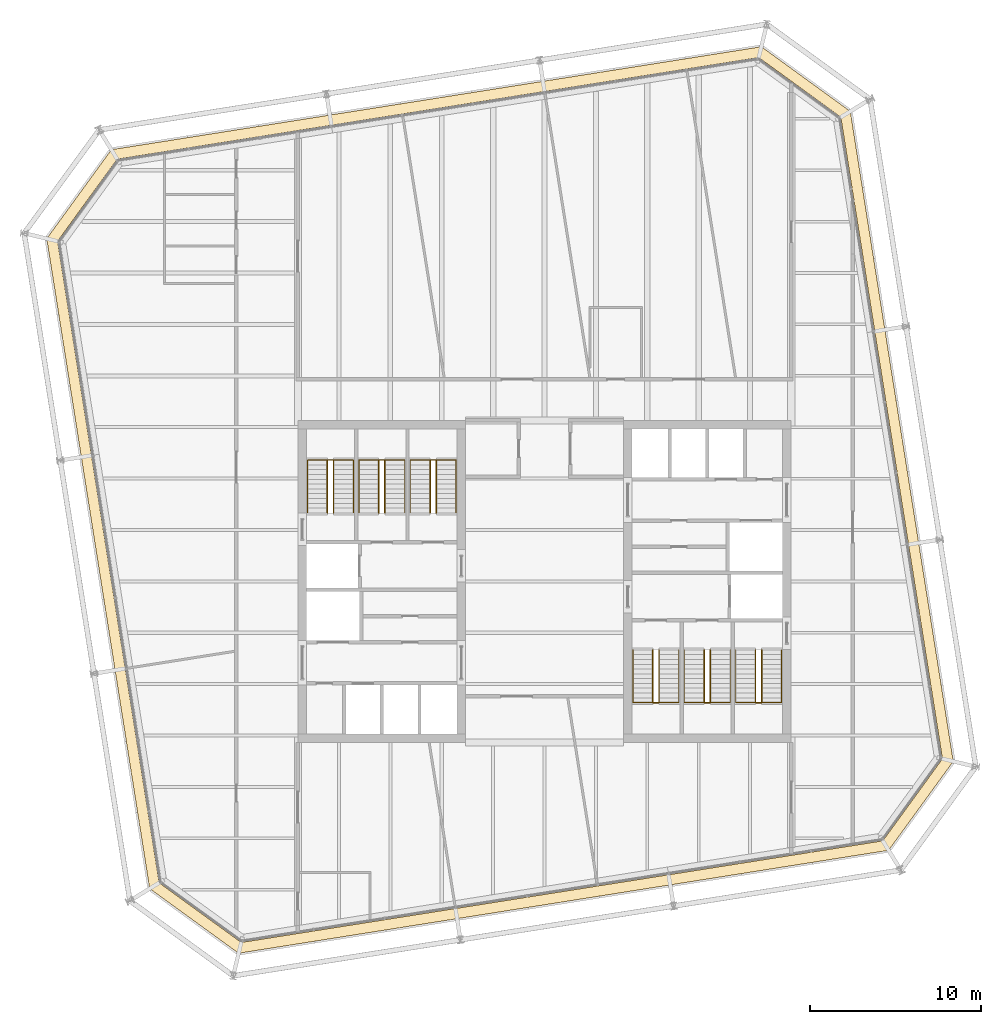
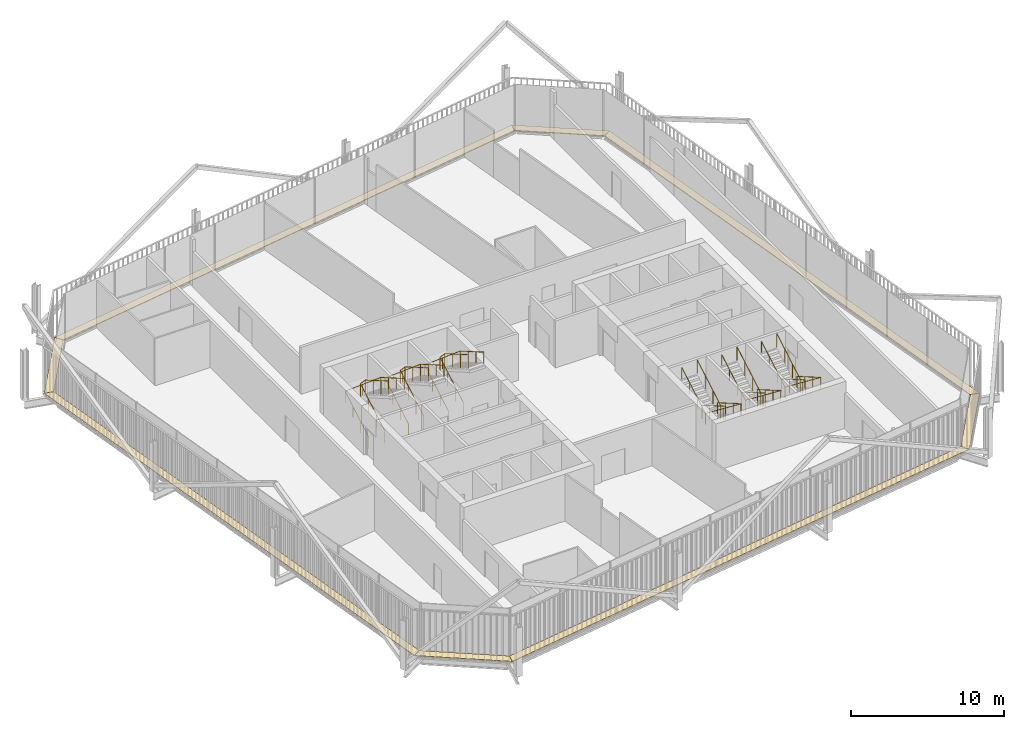
# One storey, part 21 of 21: 12 railings, 8 coverings.
"""IFC4 building model written with IfcOpenShell, lengths in metres."""

import ifcopenshell
import ifcopenshell.guid

model = None  # the IFC model being written
_history = None  # IfcOwnerHistory: only IFC2X3 demands one
_inside = {}  # id of a spatial element -> (the spatial element, [elements in it])
_under = {}  # id of a project, library or spatial element -> (it, [spatial elements below it])
_declared = {}  # id of a project -> (the project, [libraries it declares])
_typed = {}  # id of a type object -> (the type object, [elements of that type])
_made_of = {}  # id of a material, layer set ... -> (it, [elements and type objects made of it])


def new_model(schema):
    """Start an empty IFC model of exactly this schema.

    Asked for "IFC4X3", IfcOpenShell would pick the latest addendum, in which some entities
    have other attributes; the version numbers below select the first issue.
    IFC2X3 requires an IfcOwnerHistory on every rooted entity: one is made here for all.
    """
    global model, _history
    if schema == "IFC4X3":
        model = ifcopenshell.file(schema_version=(4, 3, 0, 0))
    else:
        model = ifcopenshell.file(schema=schema)
    _inside.clear()
    _under.clear()
    _declared.clear()
    _typed.clear()
    _made_of.clear()
    _history = None
    if model.schema == "IFC2X3":
        org = make("IfcOrganization", Name="unknown")
        user = make(
            "IfcPersonAndOrganization",
            ThePerson=make("IfcPerson", FamilyName="unknown"),
            TheOrganization=org,
        )
        app = make(
            "IfcApplication",
            ApplicationDeveloper=org,
            Version="unknown",
            ApplicationFullName="unknown",
            ApplicationIdentifier="unknown",
        )
        _history = make(
            "IfcOwnerHistory",
            OwningUser=user,
            OwningApplication=app,
            ChangeAction="ADDED",
            CreationDate=0,
        )
    return model


def make(cls, **values):
    """One entity of the class cls with the attributes given. An attribute that is None is left unset."""
    return model.create_entity(
        cls, **{name: value for name, value in values.items() if value is not None}
    )


def rooted(cls, **values):
    """An entity with a GlobalId (a new one), such as an element, a storey or a relation."""
    return make(cls, GlobalId=ifcopenshell.guid.new(), OwnerHistory=_history, **values)


def si_unit(unit_type, name, prefix=None):
    """IfcSIUnit, for example si_unit("LENGTHUNIT", "METRE", prefix="MILLI")."""
    return make("IfcSIUnit", UnitType=unit_type, Prefix=prefix, Name=name)


def assignment(units):
    """IfcUnitAssignment: the units of a project."""
    return None if units is None else make("IfcUnitAssignment", Units=units)


def point(xyz):
    """IfcCartesianPoint."""
    return None if xyz is None else make("IfcCartesianPoint", Coordinates=xyz)


def direction(xyz):
    """IfcDirection."""
    return None if xyz is None else make("IfcDirection", DirectionRatios=xyz)


def frame(location, z_axis=None, x_axis=None):
    """IfcAxis2Placement3D, a coordinate frame: its origin and axes. An axis left out is left unset."""
    return make(
        "IfcAxis2Placement3D",
        Location=point(location),
        Axis=direction(z_axis),
        RefDirection=direction(x_axis),
    )


def frame_2d(location, x_axis=None):
    """IfcAxis2Placement2D, a coordinate frame in the plane: its origin and x axis."""
    return make(
        "IfcAxis2Placement2D", Location=point(location), RefDirection=direction(x_axis)
    )


def origin():
    """The frame at (0, 0, 0) with its axes left unset."""
    return frame((0.0, 0.0, 0.0))


def origin_2d():
    """The frame at (0, 0) in the plane with its x axis left unset."""
    return frame_2d((0.0, 0.0))


def place(relative_to, where):
    """IfcLocalPlacement: puts the frame where relative to a parent placement (None: the world)."""
    return make(
        "IfcLocalPlacement", PlacementRelTo=relative_to, RelativePlacement=where
    )


def context(
    kind, dimensions, precision=None, world=None, true_north=None, identifier=None
):
    """IfcGeometricRepresentationContext, for example the 3D "Model" context."""
    return make(
        "IfcGeometricRepresentationContext",
        ContextIdentifier=identifier,
        ContextType=kind,
        CoordinateSpaceDimension=dimensions,
        Precision=precision,
        WorldCoordinateSystem=world,
        TrueNorth=true_north,
    )


def subcontext(parent, identifier, kind, view, scale=None):
    """IfcGeometricRepresentationSubContext, for example "Body" below "Model"."""
    return make(
        "IfcGeometricRepresentationSubContext",
        ContextIdentifier=identifier,
        ContextType=kind,
        ParentContext=parent,
        TargetScale=scale,
        TargetView=view,
    )


def project(units=None, contexts=None):
    """IfcProject with its units and contexts."""
    return rooted(
        "IfcProject",
        Name="project",
        RepresentationContexts=contexts,
        UnitsInContext=assignment(units),
    )


def spatial(cls, under=None, at=None, **own):
    """A site, building, storey or space (cls), placed at a placement, below another one or the project."""
    s = rooted(cls, ObjectPlacement=at, **own)
    if under is not None:
        _under.setdefault(under.id(), (under, []))[1].append(s)
    return s


def polyline(points):
    """IfcPolyline through the points."""
    return make("IfcPolyline", Points=[point(p) for p in points])


def profile(cls, at=None, kind="AREA", **sizes):
    """A parametric profile (cls). Its sizes go by their IFC names, for example OverallWidth=200.0."""
    return make(cls, ProfileType=kind, Position=at, **sizes)


def circle(**sizes):
    """IfcCircleProfileDef."""
    return profile("IfcCircleProfileDef", **sizes)


def outline(outer, holes=None, kind="AREA"):
    """IfcArbitraryClosedProfileDef: a profile drawn as a closed curve; with holes, ...WithVoids."""
    if holes is None:
        return make("IfcArbitraryClosedProfileDef", ProfileType=kind, OuterCurve=outer)
    return make(
        "IfcArbitraryProfileDefWithVoids",
        ProfileType=kind,
        OuterCurve=outer,
        InnerCurves=holes,
    )


def extrude(swept, where, along, depth):
    """IfcExtrudedAreaSolid: the profile swept, set in the frame where, extruded along a direction by depth."""
    return make(
        "IfcExtrudedAreaSolid",
        SweptArea=swept,
        Position=where,
        ExtrudedDirection=direction(along),
        Depth=depth,
    )


def shape(context_of_items, identifier, shape_type, items):
    """IfcShapeRepresentation: the items that make up one representation, for example the "Body"."""
    return make(
        "IfcShapeRepresentation",
        ContextOfItems=context_of_items,
        RepresentationIdentifier=identifier,
        RepresentationType=shape_type,
        Items=items,
    )


def material(Name=None, Category=None):
    """IfcMaterial."""
    return make("IfcMaterial", Name=Name, Category=Category)


def layer(
    of_material, thickness, ventilated=None, Name=None, Category=None, Priority=None
):
    """IfcMaterialLayer: one layer of a wall or slab, of a material (None: an air gap)."""
    return make(
        "IfcMaterialLayer",
        Material=of_material,
        LayerThickness=thickness,
        IsVentilated=ventilated,
        Name=Name,
        Category=Category,
        Priority=Priority,
    )


def layer_set(layers, Name=None):
    """IfcMaterialLayerSet."""
    return make("IfcMaterialLayerSet", MaterialLayers=layers, LayerSetName=Name)


def made_of(thing, what):
    """Note that an element or type object is made of a material, layer set ...; save() writes the relation."""
    if what is not None:
        _made_of.setdefault(what.id(), (what, []))[1].append(thing)
    return thing


def type_object(cls, material=None, **own):
    """A type object (cls), such as IfcWallType, which elements share."""
    return made_of(rooted(cls, **own), material)


def element(
    cls,
    number,
    at=None,
    inside=None,
    cuts=None,
    type_object=None,
    material=None,
    context=None,
    identifier="Body",
    shape_type=None,
    held_by="IfcProductDefinitionShape",
    body=None,
    shapes=None,
    **own,
):
    """One element of the class cls, such as IfcWall. Its Tag is "e" and its number.

    at: its placement. inside: the storey or other place that contains it. cuts: it is an
    opening in that element (IfcRelVoidsElement). A single representation is given by context,
    identifier, shape_type and body (its items); several are given by shapes. held_by: the class
    of the entity that holds the representations. save() writes the other relations.
    """
    e = rooted(cls, Tag="e%d" % number, ObjectPlacement=at, **own)
    if body is not None:
        shapes = [shape(context, identifier, shape_type, body)]
    if shapes is not None:
        e.Representation = make(held_by, Representations=shapes)
    if inside is not None:
        _inside.setdefault(inside.id(), (inside, []))[1].append(e)
    if cuts is not None:
        rooted(
            "IfcRelVoidsElement", RelatingBuildingElement=cuts, RelatedOpeningElement=e
        )
    if type_object is not None:
        _typed.setdefault(type_object.id(), (type_object, []))[1].append(e)
    return made_of(e, material)


def aggregate(whole, parts):
    """IfcRelAggregates: a whole, such as a stair, and the parts it consists of."""
    return rooted("IfcRelAggregates", RelatingObject=whole, RelatedObjects=parts)


def save(model, path):
    """Write the relations noted so far, then the file.

    IfcRelAggregates (storeys below a building ...), IfcRelContainedInSpatialStructure (elements
    in a storey), IfcRelDefinesByType, IfcRelAssociatesMaterial and IfcRelDeclares: one each for
    every whole, place, type object, material and project.
    """
    for whole, parts in _under.values():
        aggregate(whole, parts)
    for where, things in _inside.values():
        rooted(
            "IfcRelContainedInSpatialStructure",
            RelatedElements=things,
            RelatingStructure=where,
        )
    for kind, things in _typed.values():
        rooted("IfcRelDefinesByType", RelatedObjects=things, RelatingType=kind)
    for what, things in _made_of.values():
        rooted("IfcRelAssociatesMaterial", RelatedObjects=things, RelatingMaterial=what)
    for by, libraries in _declared.values():
        rooted("IfcRelDeclares", RelatingContext=by, RelatedDefinitions=libraries)
    model.write(path)


model = new_model("IFC4")

# Units and contexts
model_context = context("Model", 3, precision=1e-05, world=origin(), true_north=direction((0.0, 1.0)))
body_context = subcontext(model_context, "Body", "Model", "MODEL_VIEW")
ifc_project = project(units=[si_unit("LENGTHUNIT", "METRE"), si_unit("AREAUNIT", "SQUARE_METRE"), si_unit("VOLUMEUNIT", "CUBIC_METRE"), si_unit("PLANEANGLEUNIT", "RADIAN"), si_unit("MASSUNIT", "GRAM", prefix="KILO")], contexts=[model_context])

# Site, building, storey
site_placement = place(None, origin())
site = spatial("IfcSite", under=ifc_project, at=site_placement, CompositionType="ELEMENT")
building_placement = place(site_placement, origin())
building = spatial("IfcBuilding", under=site, at=building_placement, Name="Millrace Tower", CompositionType="ELEMENT")
storey_placement = place(building_placement, frame((0.0, 0.0, 255.199951171875)))
storey = spatial("IfcBuildingStorey", under=building, at=storey_placement, Name="L58", CompositionType="ELEMENT", Elevation=255.199951171875)

# Coverings
ifc_material_1 = material(Name="Steel ASTM A36", Category="steel")
ifc_layer = layer(ifc_material_1, 0.050048828125)
ifc_layer_set = layer_set([ifc_layer], Name="Steel ASTM A36")
covering_type = type_object("IfcCoveringType", Name="CAVITY CATWALK steel grating", PredefinedType="FLOORING", material=ifc_layer_set)
placement = place(storey_placement, frame((0.0, 0.0, 0.10009765625)))
element("IfcCovering", 1, at=placement, inside=storey, type_object=covering_type, Name="Cavity catwalk grating D-F01 L58 1", PredefinedType="FLOORING", context=body_context, shape_type="SweptSolid", body=[
    extrude(outline(polyline([(-23.052490234375, -17.939453125), (-17.85888671875, -21.712890625), (-17.707275390625, -21.081298828125), (-22.49853515625, -17.60009765625), (-23.052490234375, -17.939453125)])), origin(), (0.0, 0.0, 1.0), 0.050048828125),
])
element("IfcCovering", 2, at=placement, inside=storey, type_object=covering_type, Name="Cavity catwalk grating D-F02 L58 1", PredefinedType="FLOORING", context=body_context, shape_type="SweptSolid", body=[
    extrude(outline(polyline([(-17.85888671875, -21.712890625), (20.08935546875, -15.702392578125), (19.750244140625, -15.148681640625), (-17.707275390625, -21.081298828125), (-17.85888671875, -21.712890625)])), origin(), (0.0, 0.0, 1.0), 0.050048828125),
])
element("IfcCovering", 3, at=placement, inside=storey, type_object=covering_type, Name="Cavity catwalk grating D-F03 L58 1", PredefinedType="FLOORING", context=body_context, shape_type="SweptSolid", body=[
    extrude(outline(polyline([(20.08935546875, -15.702392578125), (23.86279296875, -10.5087890625), (23.231201171875, -10.357177734375), (19.750244140625, -15.148681640625), (20.08935546875, -15.702392578125)])), origin(), (0.0, 0.0, 1.0), 0.050048828125),
])
element("IfcCovering", 4, at=placement, inside=storey, type_object=covering_type, Name="Cavity catwalk grating D-F04 L58 1", PredefinedType="FLOORING", context=body_context, shape_type="SweptSolid", body=[
    extrude(outline(polyline([(23.86279296875, -10.5087890625), (17.852294921875, 27.439453125), (17.298583984375, 27.10009765625), (23.231201171875, -10.357177734375), (23.86279296875, -10.5087890625)])), origin(), (0.0, 0.0, 1.0), 0.050048828125),
])
element("IfcCovering", 5, at=placement, inside=storey, type_object=covering_type, Name="Cavity catwalk grating D-F05 L58 1", PredefinedType="FLOORING", context=body_context, shape_type="SweptSolid", body=[
    extrude(outline(polyline([(17.852294921875, 27.439453125), (12.658935546875, 31.212890625), (12.50732421875, 30.581298828125), (17.298583984375, 27.10009765625), (17.852294921875, 27.439453125)])), origin(), (0.0, 0.0, 1.0), 0.050048828125),
])
element("IfcCovering", 6, at=placement, inside=storey, type_object=covering_type, Name="Cavity catwalk grating D-F06 L58 1", PredefinedType="FLOORING", context=body_context, shape_type="SweptSolid", body=[
    extrude(outline(polyline([(12.658935546875, 31.212890625), (-25.28955078125, 25.202392578125), (-24.9501953125, 24.648681640625), (12.50732421875, 30.581298828125), (12.658935546875, 31.212890625)])), origin(), (0.0, 0.0, 1.0), 0.050048828125),
])
element("IfcCovering", 7, at=placement, inside=storey, type_object=covering_type, Name="Cavity catwalk grating D-F07 L58 1", PredefinedType="FLOORING", context=body_context, shape_type="SweptSolid", body=[
    extrude(outline(polyline([(-25.28955078125, 25.202392578125), (-29.062744140625, 20.0087890625), (-28.431396484375, 19.857177734375), (-24.9501953125, 24.648681640625), (-25.28955078125, 25.202392578125)])), origin(), (0.0, 0.0, 1.0), 0.050048828125),
])
element("IfcCovering", 8, at=placement, inside=storey, type_object=covering_type, Name="Cavity catwalk grating D-F08 L58 1", PredefinedType="FLOORING", context=body_context, shape_type="SweptSolid", body=[
    extrude(outline(polyline([(-29.062744140625, 20.0087890625), (-23.052490234375, -17.939453125), (-22.49853515625, -17.60009765625), (-28.431396484375, 19.857177734375), (-29.062744140625, 20.0087890625)])), origin(), (0.0, 0.0, 1.0), 0.050048828125),
])

# Railings
ifc_material_2 = material(Name="Stainless steel ASTM A240 type 316", Category="steel")
railing_type_1 = type_object("IfcRailingType", Name="Stair guard 1100", PredefinedType="GUARDRAIL", material=ifc_material_2)
for number, where, name in (
    (9, (-12.679931640625, 4.0, 0.16259765625), "Stair guard 1 W L58"),
    (10, (-9.679931640625, 4.0, 0.16259765625), "Stair guard 2 W L58"),
    (11, (-6.679931640625, 4.0, 0.16259765625), "Stair guard 3 W L58"),
):
    element("IfcRailing", number, at=place(storey_placement, frame(where)), inside=storey, type_object=railing_type_1, Name=name, PredefinedType="GUARDRAIL", context=body_context, shape_type="SweptSolid", body=[
        extrude(circle(Radius=0.02392578125, at=origin_2d()), frame((0.0, 0.0, 1.076171875), z_axis=(0.0, 0.864920483161, 0.501908913857), x_axis=(-1.0, 0.0, 0.0)), (0.0, 0.0, 1.0), 3.56103515625),
        extrude(circle(Radius=0.02392578125, at=origin_2d()), frame((0.0, 3.080078125, 2.86328125), z_axis=(0.911295775139, 0.0, 0.411752365158), x_axis=(0.0, 1.0, 0.0)), (0.0, 0.0, 1.0), 0.394775390625),
        extrude(circle(Radius=0.02392578125, at=origin_2d()), frame((0.35986328125, 3.080078125, 3.02587890625), z_axis=(0.0, -0.864890721111, 0.501960198159), x_axis=(1.0, 0.0, 0.0)), (0.0, 0.0, 1.0), 3.561279296875),
        extrude(circle(Radius=0.02099609375, at=origin_2d()), origin(), (0.0, 0.0, 1.0), 1.052001953125),
        extrude(circle(Radius=0.02099609375, at=origin_2d()), frame((0.0, 1.026611328125, 0.595703125)), (0.0, 0.0, 1.0), 1.052001953125),
        extrude(circle(Radius=0.02099609375, at=origin_2d()), frame((0.0, 2.053466796875, 1.191650390625)), (0.0, 0.0, 1.0), 1.052001953125),
        extrude(circle(Radius=0.02099609375, at=origin_2d()), frame((0.0, 3.080078125, 1.787353515625)), (0.0, 0.0, 1.0), 1.052001953125),
        extrude(circle(Radius=0.02099609375, at=origin_2d()), frame((0.35986328125, 3.080078125, 1.949951171875)), (0.0, 0.0, 1.0), 1.052001953125),
        extrude(circle(Radius=0.02099609375, at=origin_2d()), frame((0.35986328125, 2.053466796875, 2.5458984375)), (0.0, 0.0, 1.0), 1.052001953125),
        extrude(circle(Radius=0.02099609375, at=origin_2d()), frame((0.35986328125, 1.026611328125, 3.1416015625)), (0.0, 0.0, 1.0), 1.052001953125),
        extrude(circle(Radius=0.02099609375, at=origin_2d()), frame((0.35986328125, 0.0, 3.737548828125)), (0.0, 0.0, 1.0), 1.052001953125),
    ])
for number, where, name in (
    (12, (12.679931640625, -4.0, 0.16259765625), "Stair guard 1 E L58"),
    (13, (9.679931640625, -4.0, 0.16259765625), "Stair guard 2 E L58"),
    (14, (6.679931640625, -4.0, 0.16259765625), "Stair guard 3 E L58"),
):
    element("IfcRailing", number, at=place(storey_placement, frame(where)), inside=storey, type_object=railing_type_1, Name=name, PredefinedType="GUARDRAIL", context=body_context, shape_type="SweptSolid", body=[
        extrude(circle(Radius=0.02392578125, at=origin_2d()), frame((0.0, 0.0, 1.076171875), z_axis=(0.0, -0.864920483161, 0.501908913857), x_axis=(1.0, 0.0, 0.0)), (0.0, 0.0, 1.0), 3.56103515625),
        extrude(circle(Radius=0.02392578125, at=origin_2d()), frame((0.0, -3.080078125, 2.86328125), z_axis=(-0.911295775139, 0.0, 0.411752365158), x_axis=(0.0, -1.0, 0.0)), (0.0, 0.0, 1.0), 0.394775390625),
        extrude(circle(Radius=0.02392578125, at=origin_2d()), frame((-0.35986328125, -3.080078125, 3.02587890625), z_axis=(0.0, 0.864890721111, 0.501960198159), x_axis=(-1.0, 0.0, 0.0)), (0.0, 0.0, 1.0), 3.561279296875),
        extrude(circle(Radius=0.02099609375, at=origin_2d()), origin(), (0.0, 0.0, 1.0), 1.052001953125),
        extrude(circle(Radius=0.02099609375, at=origin_2d()), frame((0.0, -1.026611328125, 0.595703125)), (0.0, 0.0, 1.0), 1.052001953125),
        extrude(circle(Radius=0.02099609375, at=origin_2d()), frame((0.0, -2.053466796875, 1.191650390625)), (0.0, 0.0, 1.0), 1.052001953125),
        extrude(circle(Radius=0.02099609375, at=origin_2d()), frame((0.0, -3.080078125, 1.787353515625)), (0.0, 0.0, 1.0), 1.052001953125),
        extrude(circle(Radius=0.02099609375, at=origin_2d()), frame((-0.35986328125, -3.080078125, 1.949951171875)), (0.0, 0.0, 1.0), 1.052001953125),
        extrude(circle(Radius=0.02099609375, at=origin_2d()), frame((-0.35986328125, -2.053466796875, 2.5458984375)), (0.0, 0.0, 1.0), 1.052001953125),
        extrude(circle(Radius=0.02099609375, at=origin_2d()), frame((-0.35986328125, -1.026611328125, 3.1416015625)), (0.0, 0.0, 1.0), 1.052001953125),
        extrude(circle(Radius=0.02099609375, at=origin_2d()), frame((-0.35986328125, 0.0, 3.737548828125)), (0.0, 0.0, 1.0), 1.052001953125),
    ])
ifc_material_3 = material(Name="Stainless steel ASTM A240 type 316", Category="steel")
railing_type_2 = type_object("IfcRailingType", Name="Stair handrail 900", PredefinedType="HANDRAIL", material=ifc_material_3)
railing_1_placement = place(storey_placement, frame((-13.840087890625, 4.0, 0.16259765625)))
element("IfcRailing", 15, at=railing_1_placement, inside=storey, type_object=railing_type_2, Name="Stair handrail 1 W L58", PredefinedType="HANDRAIL", context=body_context, shape_type="SweptSolid", body=[
    extrude(circle(Radius=0.02392578125, at=origin_2d()), frame((0.0, 0.0, 0.8759765625), z_axis=(0.0, 0.864920483161, 0.501908913857), x_axis=(-1.0, 0.0, 0.0)), (0.0, 0.0, 1.0), 3.56103515625),
    extrude(circle(Radius=0.02392578125, at=origin_2d()), frame((0.0, 3.080078125, 2.6630859375), z_axis=(0.998164834547, 0.0, 0.060555454528), x_axis=(0.0, 1.0, 0.0)), (0.0, 0.0, 1.0), 2.68505859375),
    extrude(circle(Radius=0.02392578125, at=origin_2d()), frame((2.68017578125, 3.080078125, 2.82568359375), z_axis=(0.0, -0.864890721111, 0.501960198159), x_axis=(1.0, 0.0, 0.0)), (0.0, 0.0, 1.0), 3.561279296875),
    extrude(circle(Radius=0.02099609375, at=origin_2d()), origin(), (0.0, 0.0, 1.0), 0.851806640625),
    extrude(circle(Radius=0.02099609375, at=origin_2d()), frame((0.0, 1.026611328125, 0.595703125)), (0.0, 0.0, 1.0), 0.851806640625),
    extrude(circle(Radius=0.02099609375, at=origin_2d()), frame((0.0, 2.053466796875, 1.191650390625)), (0.0, 0.0, 1.0), 0.851806640625),
    extrude(circle(Radius=0.02099609375, at=origin_2d()), frame((0.0, 3.080078125, 1.787353515625)), (0.0, 0.0, 1.0), 0.851806640625),
    extrude(circle(Radius=0.02099609375, at=origin_2d()), frame((1.340087890625, 3.080078125, 1.86865234375)), (0.0, 0.0, 1.0), 0.851806640625),
    extrude(circle(Radius=0.02099609375, at=origin_2d()), frame((2.68017578125, 3.080078125, 1.949951171875)), (0.0, 0.0, 1.0), 0.851806640625),
    extrude(circle(Radius=0.02099609375, at=origin_2d()), frame((2.68017578125, 2.053466796875, 2.5458984375)), (0.0, 0.0, 1.0), 0.851806640625),
    extrude(circle(Radius=0.02099609375, at=origin_2d()), frame((2.68017578125, 1.026611328125, 3.1416015625)), (0.0, 0.0, 1.0), 0.851806640625),
    extrude(circle(Radius=0.02099609375, at=origin_2d()), frame((2.68017578125, 0.0, 3.737548828125)), (0.0, 0.0, 1.0), 0.851806640625),
])
railing_2_placement = place(storey_placement, frame((-10.840087890625, 4.0, 0.16259765625)))
element("IfcRailing", 16, at=railing_2_placement, inside=storey, type_object=railing_type_2, Name="Stair handrail 2 W L58", PredefinedType="HANDRAIL", context=body_context, shape_type="SweptSolid", body=[
    extrude(circle(Radius=0.02392578125, at=origin_2d()), frame((0.0, 0.0, 0.8759765625), z_axis=(0.0, 0.864920483161, 0.501908913857), x_axis=(-1.0, 0.0, 0.0)), (0.0, 0.0, 1.0), 3.56103515625),
    extrude(circle(Radius=0.02392578125, at=origin_2d()), frame((0.0, 3.080078125, 2.6630859375), z_axis=(0.998164834547, 0.0, 0.060555454528), x_axis=(0.0, 1.0, 0.0)), (0.0, 0.0, 1.0), 2.68505859375),
    extrude(circle(Radius=0.02392578125, at=origin_2d()), frame((2.68017578125, 3.080078125, 2.82568359375), z_axis=(0.0, -0.864890721111, 0.501960198159), x_axis=(1.0, 0.0, 0.0)), (0.0, 0.0, 1.0), 3.561279296875),
    extrude(circle(Radius=0.02099609375, at=origin_2d()), origin(), (0.0, 0.0, 1.0), 0.851806640625),
    extrude(circle(Radius=0.02099609375, at=origin_2d()), frame((0.0, 1.026611328125, 0.595703125)), (0.0, 0.0, 1.0), 0.851806640625),
    extrude(circle(Radius=0.02099609375, at=origin_2d()), frame((0.0, 2.053466796875, 1.191650390625)), (0.0, 0.0, 1.0), 0.851806640625),
    extrude(circle(Radius=0.02099609375, at=origin_2d()), frame((0.0, 3.080078125, 1.787353515625)), (0.0, 0.0, 1.0), 0.851806640625),
    extrude(circle(Radius=0.02099609375, at=origin_2d()), frame((1.340087890625, 3.080078125, 1.86865234375)), (0.0, 0.0, 1.0), 0.851806640625),
    extrude(circle(Radius=0.02099609375, at=origin_2d()), frame((2.68017578125, 3.080078125, 1.949951171875)), (0.0, 0.0, 1.0), 0.851806640625),
    extrude(circle(Radius=0.02099609375, at=origin_2d()), frame((2.68017578125, 2.053466796875, 2.5458984375)), (0.0, 0.0, 1.0), 0.851806640625),
    extrude(circle(Radius=0.02099609375, at=origin_2d()), frame((2.68017578125, 1.026611328125, 3.1416015625)), (0.0, 0.0, 1.0), 0.851806640625),
    extrude(circle(Radius=0.02099609375, at=origin_2d()), frame((2.68017578125, 0.0, 3.737548828125)), (0.0, 0.0, 1.0), 0.851806640625),
])
railing_3_placement = place(storey_placement, frame((-7.840087890625, 4.0, 0.16259765625)))
element("IfcRailing", 17, at=railing_3_placement, inside=storey, type_object=railing_type_2, Name="Stair handrail 3 W L58", PredefinedType="HANDRAIL", context=body_context, shape_type="SweptSolid", body=[
    extrude(circle(Radius=0.02392578125, at=origin_2d()), frame((0.0, 0.0, 0.8759765625), z_axis=(0.0, 0.864920483161, 0.501908913857), x_axis=(-1.0, 0.0, 0.0)), (0.0, 0.0, 1.0), 3.56103515625),
    extrude(circle(Radius=0.02392578125, at=origin_2d()), frame((0.0, 3.080078125, 2.6630859375), z_axis=(0.998164834547, 0.0, 0.060555454528), x_axis=(0.0, 1.0, 0.0)), (0.0, 0.0, 1.0), 2.68505859375),
    extrude(circle(Radius=0.02392578125, at=origin_2d()), frame((2.68017578125, 3.080078125, 2.82568359375), z_axis=(0.0, -0.864890721111, 0.501960198159), x_axis=(1.0, 0.0, 0.0)), (0.0, 0.0, 1.0), 3.561279296875),
    extrude(circle(Radius=0.02099609375, at=origin_2d()), origin(), (0.0, 0.0, 1.0), 0.851806640625),
    extrude(circle(Radius=0.02099609375, at=origin_2d()), frame((0.0, 1.026611328125, 0.595703125)), (0.0, 0.0, 1.0), 0.851806640625),
    extrude(circle(Radius=0.02099609375, at=origin_2d()), frame((0.0, 2.053466796875, 1.191650390625)), (0.0, 0.0, 1.0), 0.851806640625),
    extrude(circle(Radius=0.02099609375, at=origin_2d()), frame((0.0, 3.080078125, 1.787353515625)), (0.0, 0.0, 1.0), 0.851806640625),
    extrude(circle(Radius=0.02099609375, at=origin_2d()), frame((1.340087890625, 3.080078125, 1.86865234375)), (0.0, 0.0, 1.0), 0.851806640625),
    extrude(circle(Radius=0.02099609375, at=origin_2d()), frame((2.68017578125, 3.080078125, 1.949951171875)), (0.0, 0.0, 1.0), 0.851806640625),
    extrude(circle(Radius=0.02099609375, at=origin_2d()), frame((2.68017578125, 2.053466796875, 2.5458984375)), (0.0, 0.0, 1.0), 0.851806640625),
    extrude(circle(Radius=0.02099609375, at=origin_2d()), frame((2.68017578125, 1.026611328125, 3.1416015625)), (0.0, 0.0, 1.0), 0.851806640625),
    extrude(circle(Radius=0.02099609375, at=origin_2d()), frame((2.68017578125, 0.0, 3.737548828125)), (0.0, 0.0, 1.0), 0.851806640625),
])
railing_4_placement = place(storey_placement, frame((13.840087890625, -4.0, 0.16259765625)))
element("IfcRailing", 18, at=railing_4_placement, inside=storey, type_object=railing_type_2, Name="Stair handrail 1 E L58", PredefinedType="HANDRAIL", context=body_context, shape_type="SweptSolid", body=[
    extrude(circle(Radius=0.02392578125, at=origin_2d()), frame((0.0, 0.0, 0.8759765625), z_axis=(0.0, -0.864920483161, 0.501908913857), x_axis=(1.0, 0.0, 0.0)), (0.0, 0.0, 1.0), 3.56103515625),
    extrude(circle(Radius=0.02392578125, at=origin_2d()), frame((0.0, -3.080078125, 2.6630859375), z_axis=(-0.998164834547, 0.0, 0.060555454528), x_axis=(0.0, -1.0, 0.0)), (0.0, 0.0, 1.0), 2.68505859375),
    extrude(circle(Radius=0.02392578125, at=origin_2d()), frame((-2.68017578125, -3.080078125, 2.82568359375), z_axis=(0.0, 0.864890721111, 0.501960198159), x_axis=(-1.0, 0.0, 0.0)), (0.0, 0.0, 1.0), 3.561279296875),
    extrude(circle(Radius=0.02099609375, at=origin_2d()), origin(), (0.0, 0.0, 1.0), 0.851806640625),
    extrude(circle(Radius=0.02099609375, at=origin_2d()), frame((0.0, -1.026611328125, 0.595703125)), (0.0, 0.0, 1.0), 0.851806640625),
    extrude(circle(Radius=0.02099609375, at=origin_2d()), frame((0.0, -2.053466796875, 1.191650390625)), (0.0, 0.0, 1.0), 0.851806640625),
    extrude(circle(Radius=0.02099609375, at=origin_2d()), frame((0.0, -3.080078125, 1.787353515625)), (0.0, 0.0, 1.0), 0.851806640625),
    extrude(circle(Radius=0.02099609375, at=origin_2d()), frame((-1.340087890625, -3.080078125, 1.86865234375)), (0.0, 0.0, 1.0), 0.851806640625),
    extrude(circle(Radius=0.02099609375, at=origin_2d()), frame((-2.68017578125, -3.080078125, 1.949951171875)), (0.0, 0.0, 1.0), 0.851806640625),
    extrude(circle(Radius=0.02099609375, at=origin_2d()), frame((-2.68017578125, -2.053466796875, 2.5458984375)), (0.0, 0.0, 1.0), 0.851806640625),
    extrude(circle(Radius=0.02099609375, at=origin_2d()), frame((-2.68017578125, -1.026611328125, 3.1416015625)), (0.0, 0.0, 1.0), 0.851806640625),
    extrude(circle(Radius=0.02099609375, at=origin_2d()), frame((-2.68017578125, 0.0, 3.737548828125)), (0.0, 0.0, 1.0), 0.851806640625),
])
railing_5_placement = place(storey_placement, frame((10.840087890625, -4.0, 0.16259765625)))
element("IfcRailing", 19, at=railing_5_placement, inside=storey, type_object=railing_type_2, Name="Stair handrail 2 E L58", PredefinedType="HANDRAIL", context=body_context, shape_type="SweptSolid", body=[
    extrude(circle(Radius=0.02392578125, at=origin_2d()), frame((0.0, 0.0, 0.8759765625), z_axis=(0.0, -0.864920483161, 0.501908913857), x_axis=(1.0, 0.0, 0.0)), (0.0, 0.0, 1.0), 3.56103515625),
    extrude(circle(Radius=0.02392578125, at=origin_2d()), frame((0.0, -3.080078125, 2.6630859375), z_axis=(-0.998164834547, 0.0, 0.060555454528), x_axis=(0.0, -1.0, 0.0)), (0.0, 0.0, 1.0), 2.68505859375),
    extrude(circle(Radius=0.02392578125, at=origin_2d()), frame((-2.68017578125, -3.080078125, 2.82568359375), z_axis=(0.0, 0.864890721111, 0.501960198159), x_axis=(-1.0, 0.0, 0.0)), (0.0, 0.0, 1.0), 3.561279296875),
    extrude(circle(Radius=0.02099609375, at=origin_2d()), origin(), (0.0, 0.0, 1.0), 0.851806640625),
    extrude(circle(Radius=0.02099609375, at=origin_2d()), frame((0.0, -1.026611328125, 0.595703125)), (0.0, 0.0, 1.0), 0.851806640625),
    extrude(circle(Radius=0.02099609375, at=origin_2d()), frame((0.0, -2.053466796875, 1.191650390625)), (0.0, 0.0, 1.0), 0.851806640625),
    extrude(circle(Radius=0.02099609375, at=origin_2d()), frame((0.0, -3.080078125, 1.787353515625)), (0.0, 0.0, 1.0), 0.851806640625),
    extrude(circle(Radius=0.02099609375, at=origin_2d()), frame((-1.340087890625, -3.080078125, 1.86865234375)), (0.0, 0.0, 1.0), 0.851806640625),
    extrude(circle(Radius=0.02099609375, at=origin_2d()), frame((-2.68017578125, -3.080078125, 1.949951171875)), (0.0, 0.0, 1.0), 0.851806640625),
    extrude(circle(Radius=0.02099609375, at=origin_2d()), frame((-2.68017578125, -2.053466796875, 2.5458984375)), (0.0, 0.0, 1.0), 0.851806640625),
    extrude(circle(Radius=0.02099609375, at=origin_2d()), frame((-2.68017578125, -1.026611328125, 3.1416015625)), (0.0, 0.0, 1.0), 0.851806640625),
    extrude(circle(Radius=0.02099609375, at=origin_2d()), frame((-2.68017578125, 0.0, 3.737548828125)), (0.0, 0.0, 1.0), 0.851806640625),
])
railing_6_placement = place(storey_placement, frame((7.840087890625, -4.0, 0.16259765625)))
element("IfcRailing", 20, at=railing_6_placement, inside=storey, type_object=railing_type_2, Name="Stair handrail 3 E L58", PredefinedType="HANDRAIL", context=body_context, shape_type="SweptSolid", body=[
    extrude(circle(Radius=0.02392578125, at=origin_2d()), frame((0.0, 0.0, 0.8759765625), z_axis=(0.0, -0.864920483161, 0.501908913857), x_axis=(1.0, 0.0, 0.0)), (0.0, 0.0, 1.0), 3.56103515625),
    extrude(circle(Radius=0.02392578125, at=origin_2d()), frame((0.0, -3.080078125, 2.6630859375), z_axis=(-0.998164834547, 0.0, 0.060555454528), x_axis=(0.0, -1.0, 0.0)), (0.0, 0.0, 1.0), 2.68505859375),
    extrude(circle(Radius=0.02392578125, at=origin_2d()), frame((-2.68017578125, -3.080078125, 2.82568359375), z_axis=(0.0, 0.864890721111, 0.501960198159), x_axis=(-1.0, 0.0, 0.0)), (0.0, 0.0, 1.0), 3.561279296875),
    extrude(circle(Radius=0.02099609375, at=origin_2d()), origin(), (0.0, 0.0, 1.0), 0.851806640625),
    extrude(circle(Radius=0.02099609375, at=origin_2d()), frame((0.0, -1.026611328125, 0.595703125)), (0.0, 0.0, 1.0), 0.851806640625),
    extrude(circle(Radius=0.02099609375, at=origin_2d()), frame((0.0, -2.053466796875, 1.191650390625)), (0.0, 0.0, 1.0), 0.851806640625),
    extrude(circle(Radius=0.02099609375, at=origin_2d()), frame((0.0, -3.080078125, 1.787353515625)), (0.0, 0.0, 1.0), 0.851806640625),
    extrude(circle(Radius=0.02099609375, at=origin_2d()), frame((-1.340087890625, -3.080078125, 1.86865234375)), (0.0, 0.0, 1.0), 0.851806640625),
    extrude(circle(Radius=0.02099609375, at=origin_2d()), frame((-2.68017578125, -3.080078125, 1.949951171875)), (0.0, 0.0, 1.0), 0.851806640625),
    extrude(circle(Radius=0.02099609375, at=origin_2d()), frame((-2.68017578125, -2.053466796875, 2.5458984375)), (0.0, 0.0, 1.0), 0.851806640625),
    extrude(circle(Radius=0.02099609375, at=origin_2d()), frame((-2.68017578125, -1.026611328125, 3.1416015625)), (0.0, 0.0, 1.0), 0.851806640625),
    extrude(circle(Radius=0.02099609375, at=origin_2d()), frame((-2.68017578125, 0.0, 3.737548828125)), (0.0, 0.0, 1.0), 0.851806640625),
])

save(model, "model.ifc")
